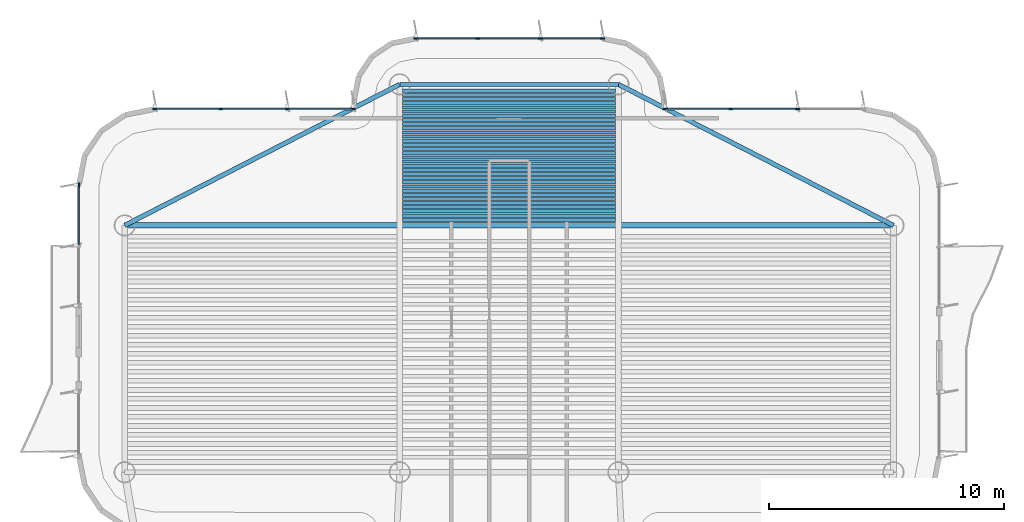
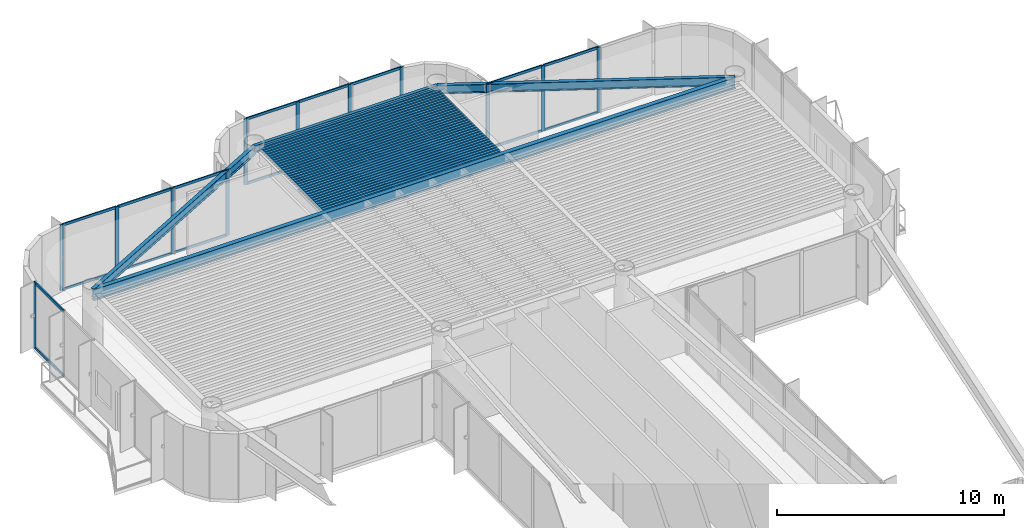
# One storey, part 7 of 14: 36 beams, 30 members, 4 elements without a shape of their own.
"""IFC4 building model written with IfcOpenShell, lengths in metres."""

from ifc_helpers import new_model, si_unit, direction, frame, origin, origin_2d, place, context, subcontext, project, spatial, rectangle, i_section, extrude, source, transform, mapped, material, layer, layer_set, material_profile, profile_set, type_object, element, aggregate, save


model = new_model("IFC4")

# Units and contexts
model_context = context("Model", 3, precision=1e-05, world=origin(), true_north=direction((0.0, 1.0)))
body_context = subcontext(model_context, "Body", "Model", "MODEL_VIEW")
ifc_project = project(units=[si_unit("LENGTHUNIT", "METRE"), si_unit("AREAUNIT", "SQUARE_METRE"), si_unit("VOLUMEUNIT", "CUBIC_METRE"), si_unit("PLANEANGLEUNIT", "RADIAN"), si_unit("MASSUNIT", "GRAM", prefix="KILO")], contexts=[model_context])

# Site, building, storey
site_placement = place(None, origin())
site = spatial("IfcSite", under=ifc_project, at=site_placement, CompositionType="ELEMENT")
building_placement = place(site_placement, origin())
building = spatial("IfcBuilding", under=site, at=building_placement, Name="Brelvock Crest Care Tower", CompositionType="ELEMENT")
storey_placement = place(building_placement, frame((0.0, 0.0, 253.260009765625)))
storey = spatial("IfcBuildingStorey", under=building, at=storey_placement, Name="L64", CompositionType="ELEMENT", Elevation=253.260009765625)

# Beams
ifc_material_1 = material(Name="Steel Grade 350", Category="steel")
ifc_material_profile_1 = material_profile(ifc_material_1, i_section(OverallWidth=0.177978515625, OverallDepth=0.406005859375, WebThickness=0.0078125, FlangeThickness=0.0126953125, FilletRadius=0.011474609375, at=origin_2d()), Name="410UB59.7")
ifc_profile_set_1 = profile_set([ifc_material_profile_1], Name="Steel Grade 350")
beam_type_1 = type_object("IfcBeamType", Name="BM-SP1", PredefinedType="SPANDREL", material=ifc_profile_set_1)
shared_shape_1 = source(origin(), body_context, "Body", "SweptSolid", [
    extrude(i_section(OverallWidth=0.177978515625, OverallDepth=0.406005859375, WebThickness=0.0078125, FlangeThickness=0.0126953125, FilletRadius=0.011474609375, at=origin_2d()), origin(), (0.0, 0.0, 1.0), 9.2998046875),
])
beam_1_placement = place(storey_placement, frame((31.35009765625, 60.449951171875, 3.326904296875), z_axis=(1.0, 0.0, 0.0), x_axis=(0.0, 1.0, 0.0)))
element("IfcBeam", 1, at=beam_1_placement, inside=storey, type_object=beam_type_1, Name="BM-TWR-L64-08", PredefinedType="SPANDREL", context=body_context, shape_type="MappedRepresentation", body=[
    mapped(shared_shape_1, transform((0.0, 0.0, 0.0), x_axis=(1.0, 0.0, 0.0), y_axis=(0.0, 1.0, 0.0), z_axis=(0.0, 0.0, 1.0), scale=1.0)),
])
ifc_material_profile_2 = material_profile(ifc_material_1, i_section(OverallWidth=0.14599609375, OverallDepth=0.256103515625, WebThickness=0.00634765625, FlangeThickness=0.010986328125, FilletRadius=0.0087890625, at=origin_2d()), Name="250UB37.3")
ifc_profile_set_2 = profile_set([ifc_material_profile_2], Name="Steel Grade 350")
beam_type_2 = type_object("IfcBeamType", Name="BM-J3", PredefinedType="JOIST", material=ifc_profile_set_2)
shared_shape_2 = source(origin(), body_context, "Body", "SweptSolid", [
    extrude(i_section(OverallWidth=0.14599609375, OverallDepth=0.256103515625, WebThickness=0.00634765625, FlangeThickness=0.010986328125, FilletRadius=0.0087890625, at=origin_2d()), origin(), (0.0, 0.0, 1.0), 9.06982421875),
])
for number, where, z_axis, x_axis, name in (
    (2, (31.465087890625, 54.68994140625, 3.402099609375), (1.0, 0.0, 0.0), (0.0, 1.0, 0.0), "BM-JN-L64-1"),
    (3, (31.465087890625, 54.866943359375, 3.402099609375), (1.0, 0.0, 0.0), (0.0, 1.0, 0.0), "BM-JN-L64-2"),
    (4, (31.465087890625, 55.0439453125, 3.402099609375), (1.0, 0.0, 0.0), (0.0, 1.0, 0.0), "BM-JN-L64-3"),
    (5, (31.465087890625, 55.220947265625, 3.402099609375), (1.0, 0.0, 0.0), (0.0, 1.0, 0.0), "BM-JN-L64-4"),
    (6, (31.465087890625, 55.39794921875, 3.402099609375), (1.0, 0.0, 0.0), (0.0, 1.0, 0.0), "BM-JN-L64-5"),
    (7, (31.465087890625, 55.574951171875, 3.402099609375), (1.0, 0.0, 0.0), (0.0, 1.0, 0.0), "BM-JN-L64-6"),
    (8, (31.465087890625, 55.751953125, 3.402099609375), (1.0, 0.0, 0.0), (0.0, 1.0, 0.0), "BM-JN-L64-7"),
    (9, (31.465087890625, 55.928955078125, 3.402099609375), (1.0, 0.0, 0.0), (0.0, 1.0, 0.0), "BM-JN-L64-8"),
    (10, (31.465087890625, 56.10595703125, 3.402099609375), (1.0, 0.0, 0.0), (0.0, 1.0, 0.0), "BM-JN-L64-9"),
    (11, (31.465087890625, 56.282958984375, 3.402099609375), (1.0, 0.0, 0.0), (0.0, 1.0, 0.0), "BM-JN-L64-10"),
    (12, (31.465087890625, 56.4599609375, 3.402099609375), (1.0, 0.0, 0.0), (0.0, 1.0, 0.0), "BM-JN-L64-11"),
    (13, (31.465087890625, 56.636962890625, 3.402099609375), (1.0, 0.0, 0.0), (0.0, 1.0, 0.0), "BM-JN-L64-12"),
    (14, (31.465087890625, 56.81396484375, 3.402099609375), (1.0, 0.0, 0.0), (0.0, 1.0, 0.0), "BM-JN-L64-13"),
):
    element("IfcBeam", number, at=place(storey_placement, frame(where, z_axis=z_axis, x_axis=x_axis)), inside=storey, type_object=beam_type_2, Name=name, PredefinedType="JOIST", context=body_context, shape_type="MappedRepresentation", body=[
        mapped(shared_shape_2, transform((0.0, 0.0, 0.0), x_axis=(1.0, 0.0, 0.0), y_axis=(0.0, 1.0, 0.0), z_axis=(0.0, 0.0, 1.0), scale=1.0)),
    ])
ifc_material_profile_3 = material_profile(ifc_material_1, i_section(OverallWidth=0.134033203125, OverallDepth=0.20703125, WebThickness=0.00634765625, FlangeThickness=0.009521484375, FilletRadius=0.0087890625, at=origin_2d()), Name="200UB29.8")
ifc_profile_set_3 = profile_set([ifc_material_profile_3], Name="Steel Grade 350")
beam_type_3 = type_object("IfcBeamType", Name="BM-J4", PredefinedType="JOIST", material=ifc_profile_set_3)
shared_shape_3 = source(origin(), body_context, "Body", "SweptSolid", [
    extrude(i_section(OverallWidth=0.134033203125, OverallDepth=0.20703125, WebThickness=0.00634765625, FlangeThickness=0.009521484375, FilletRadius=0.0087890625, at=origin_2d()), origin(), (0.0, 0.0, 1.0), 9.06982421875),
])
for number, where, z_axis, x_axis, name in (
    (15, (31.465087890625, 56.990966796875, 3.426513671875), (1.0, 0.0, 0.0), (0.0, 1.0, 0.0), "BM-JN-L64-14"),
    (16, (31.465087890625, 57.16796875, 3.426513671875), (1.0, 0.0, 0.0), (0.0, 1.0, 0.0), "BM-JN-L64-15"),
    (17, (31.465087890625, 57.344970703125, 3.426513671875), (1.0, 0.0, 0.0), (0.0, 1.0, 0.0), "BM-JN-L64-16"),
    (18, (31.465087890625, 57.52197265625, 3.426513671875), (1.0, 0.0, 0.0), (0.0, 1.0, 0.0), "BM-JN-L64-17"),
    (19, (31.465087890625, 57.698974609375, 3.426513671875), (1.0, 0.0, 0.0), (0.0, 1.0, 0.0), "BM-JN-L64-18"),
    (20, (31.465087890625, 57.8759765625, 3.426513671875), (1.0, 0.0, 0.0), (0.0, 1.0, 0.0), "BM-JN-L64-19"),
    (21, (31.465087890625, 58.052978515625, 3.426513671875), (1.0, 0.0, 0.0), (0.0, 1.0, 0.0), "BM-JN-L64-20"),
    (22, (31.465087890625, 58.22998046875, 3.426513671875), (1.0, 0.0, 0.0), (0.0, 1.0, 0.0), "BM-JN-L64-21"),
    (23, (31.465087890625, 58.406982421875, 3.426513671875), (1.0, 0.0, 0.0), (0.0, 1.0, 0.0), "BM-JN-L64-22"),
    (24, (31.465087890625, 58.583984375, 3.426513671875), (1.0, 0.0, 0.0), (0.0, 1.0, 0.0), "BM-JN-L64-23"),
    (25, (31.465087890625, 58.760986328125, 3.426513671875), (1.0, 0.0, 0.0), (0.0, 1.0, 0.0), "BM-JN-L64-24"),
    (26, (31.465087890625, 58.93798828125, 3.426513671875), (1.0, 0.0, 0.0), (0.0, 1.0, 0.0), "BM-JN-L64-25"),
    (27, (31.465087890625, 59.114990234375, 3.426513671875), (1.0, 0.0, 0.0), (0.0, 1.0, 0.0), "BM-JN-L64-26"),
    (28, (31.465087890625, 59.2919921875, 3.426513671875), (1.0, 0.0, 0.0), (0.0, 1.0, 0.0), "BM-JN-L64-27"),
    (29, (31.465087890625, 59.468994140625, 3.426513671875), (1.0, 0.0, 0.0), (0.0, 1.0, 0.0), "BM-JN-L64-28"),
    (30, (31.465087890625, 59.64599609375, 3.426513671875), (1.0, 0.0, 0.0), (0.0, 1.0, 0.0), "BM-JN-L64-29"),
    (31, (31.465087890625, 59.822998046875, 3.426513671875), (1.0, 0.0, 0.0), (0.0, 1.0, 0.0), "BM-JN-L64-30"),
    (32, (31.465087890625, 60.0, 3.426513671875), (1.0, 0.0, 0.0), (0.0, 1.0, 0.0), "BM-JN-L64-31"),
    (33, (31.465087890625, 60.177001953125, 3.426513671875), (1.0, 0.0, 0.0), (0.0, 1.0, 0.0), "BM-JN-L64-32"),
):
    element("IfcBeam", number, at=place(storey_placement, frame(where, z_axis=z_axis, x_axis=x_axis)), inside=storey, type_object=beam_type_3, Name=name, PredefinedType="JOIST", context=body_context, shape_type="MappedRepresentation", body=[
        mapped(shared_shape_3, transform((0.0, 0.0, 0.0), x_axis=(1.0, 0.0, 0.0), y_axis=(0.0, 1.0, 0.0), z_axis=(0.0, 0.0, 1.0), scale=1.0)),
    ])
ifc_material_profile_4 = material_profile(ifc_material_1, i_section(OverallWidth=0.19091796875, OverallDepth=0.4599609375, WebThickness=0.010009765625, FlangeThickness=0.01611328125, FilletRadius=0.011474609375, at=origin_2d()), Name="460UB82.1")
ifc_profile_set_4 = profile_set([ifc_material_profile_4], Name="Steel Grade 350")
beam_type_4 = type_object("IfcBeamType", Name="BM-SP2", PredefinedType="SPANDREL", material=ifc_profile_set_4)
shared_shape_4 = source(origin(), body_context, "Body", "SweptSolid", [
    extrude(i_section(OverallWidth=0.19091796875, OverallDepth=0.4599609375, WebThickness=0.010009765625, FlangeThickness=0.01611328125, FilletRadius=0.011474609375, at=origin_2d()), origin(), (0.0, 0.0, 1.0), 13.14892578125),
])
for number, where, z_axis, x_axis, name in (
    (34, (19.64990234375, 54.449951171875, 3.300048828125), (0.889820555736, 0.456310616346, 0.0), (-0.456310616346, 0.889820555736, 0.0), "BM-TWR-L64-06"),
    (35, (40.64990234375, 60.449951171875, 3.300048828125), (0.889820555736, -0.456310616346, 0.0), (0.456310616346, 0.889820555736, 0.0), "BM-TWR-L64-07"),
):
    element("IfcBeam", number, at=place(storey_placement, frame(where, z_axis=z_axis, x_axis=x_axis)), inside=storey, type_object=beam_type_4, Name=name, PredefinedType="SPANDREL", context=body_context, shape_type="MappedRepresentation", body=[
        mapped(shared_shape_4, transform((0.0, 0.0, 0.0), x_axis=(1.0, 0.0, 0.0), y_axis=(0.0, 1.0, 0.0), z_axis=(0.0, 0.0, 1.0), scale=1.0)),
    ])
ifc_material_profile_5 = material_profile(ifc_material_1, i_section(OverallWidth=0.22900390625, OverallDepth=0.612060546875, WebThickness=0.011962890625, FlangeThickness=0.01953125, FilletRadius=0.013916015625, at=origin_2d()), Name="610UB125")
ifc_profile_set_5 = profile_set([ifc_material_profile_5], Name="Steel Grade 350")
beam_type_5 = type_object("IfcBeamType", Name="BM-G1", PredefinedType="BEAM", material=ifc_profile_set_5)
shared_shape_5 = source(origin(), body_context, "Body", "SweptSolid", [
    extrude(i_section(OverallWidth=0.22900390625, OverallDepth=0.612060546875, WebThickness=0.011962890625, FlangeThickness=0.01953125, FilletRadius=0.013916015625, at=origin_2d()), origin(), (0.0, 0.0, 1.0), 32.7001953125),
])
beam_2_placement = place(storey_placement, frame((19.64990234375, 54.449951171875, 3.223876953125), z_axis=(1.0, 0.0, 0.0), x_axis=(0.0, 1.0, 0.0)))
element("IfcBeam", 36, at=beam_2_placement, inside=storey, type_object=beam_type_5, Name="BM-TWR-L64-11", PredefinedType="BEAM", context=body_context, shape_type="MappedRepresentation", body=[
    mapped(shared_shape_5, transform((0.0, 0.0, 0.0), x_axis=(1.0, 0.0, 0.0), y_axis=(0.0, 1.0, 0.0), z_axis=(0.0, 0.0, 1.0), scale=1.0)),
])

# Curtain wall, member
ifc_material_2 = material(Name="Dark Glass Double Glazed Low-E", Category="glass")
ifc_layer = layer(ifc_material_2, 0.239990234375, Name="CWS-5")
ifc_layer_set = layer_set([ifc_layer], Name="Dark Glass Double Glazed Low-E")
curtain_wall_type = type_object("IfcCurtainWallType", Name="CWS-5", PredefinedType="NOTDEFINED", material=ifc_layer_set)
curtain_wall_1_placement = place(storey_placement, origin())
curtain_wall_1 = element("IfcCurtainWall", 37, at=curtain_wall_1_placement, inside=storey, type_object=curtain_wall_type, Name="L64 Curtain Wall E17B", PredefinedType="NOTDEFINED")
ifc_material_3 = material(Name="Aluminium 6063-T6", Category="aluminium")
ifc_material_profile_6 = material_profile(ifc_material_3, rectangle(XDim=0.06005859375, YDim=0.179931640625, at=origin_2d()), Name="ALU60x180")
ifc_profile_set_6 = profile_set([ifc_material_profile_6], Name="Aluminium 6063-T6")
member_type_1 = type_object("IfcMemberType", Name="CWM-2", PredefinedType="MULLION", material=ifc_profile_set_6)
shared_shape_6 = source(origin(), body_context, "Body", "SweptSolid", [
    extrude(rectangle(XDim=0.06005859375, YDim=0.179931640625, at=origin_2d()), origin(), (0.0, 0.0, 1.0), 3.530029296875),
])
member_1_placement = place(storey_placement, frame((17.699951171875, 56.169921875, 0.0), z_axis=(0.0, 0.0, 1.0), x_axis=(-1.0, 0.0, 0.0)))
member_1 = element("IfcMember", 38, at=member_1_placement, type_object=member_type_1, Name="CW-5 mullion 3", PredefinedType="MULLION", context=body_context, shape_type="MappedRepresentation", body=[
    mapped(shared_shape_6, transform((0.0, 0.0, 0.0), x_axis=(1.0, 0.0, 0.0), y_axis=(0.0, 1.0, 0.0), z_axis=(0.0, 0.0, 1.0), scale=1.0)),
])

# Curtain wall, members
curtain_wall_2_placement = place(storey_placement, origin())
curtain_wall_2 = element("IfcCurtainWall", 39, at=curtain_wall_2_placement, inside=storey, type_object=curtain_wall_type, Name="L64 Curtain Wall E22", PredefinedType="NOTDEFINED")
member_2_placement = place(storey_placement, frame((20.929931640625, 59.39990234375, 0.0), z_axis=(0.0, 0.0, 1.0), x_axis=(0.0, 1.0, 0.0)))
member_2 = element("IfcMember", 40, at=member_2_placement, type_object=member_type_1, Name="CW-5 mullion 1", PredefinedType="MULLION", context=body_context, shape_type="MappedRepresentation", body=[
    mapped(shared_shape_6, transform((0.0, 0.0, 0.0), x_axis=(1.0, 0.0, 0.0), y_axis=(0.0, 1.0, 0.0), z_axis=(0.0, 0.0, 1.0), scale=1.0)),
])
member_3_placement = place(storey_placement, frame((23.7333984375, 59.39990234375, 0.0), z_axis=(0.0, 0.0, 1.0), x_axis=(0.0, 1.0, 0.0)))
member_3 = element("IfcMember", 41, at=member_3_placement, type_object=member_type_1, Name="CW-5 mullion 2", PredefinedType="MULLION", context=body_context, shape_type="MappedRepresentation", body=[
    mapped(shared_shape_6, transform((0.0, 0.0, 0.0), x_axis=(1.0, 0.0, 0.0), y_axis=(0.0, 1.0, 0.0), z_axis=(0.0, 0.0, 1.0), scale=1.0)),
])
member_4_placement = place(storey_placement, frame((26.566650390625, 59.39990234375, 0.0), z_axis=(0.0, 0.0, 1.0), x_axis=(0.0, 1.0, 0.0)))
member_4 = element("IfcMember", 42, at=member_4_placement, type_object=member_type_1, Name="CW-5 mullion 3", PredefinedType="MULLION", context=body_context, shape_type="MappedRepresentation", body=[
    mapped(shared_shape_6, transform((0.0, 0.0, 0.0), x_axis=(1.0, 0.0, 0.0), y_axis=(0.0, 1.0, 0.0), z_axis=(0.0, 0.0, 1.0), scale=1.0)),
])
member_5_placement = place(storey_placement, frame((29.3701171875, 59.39990234375, 0.0), z_axis=(0.0, 0.0, 1.0), x_axis=(0.0, 1.0, 0.0)))
member_5 = element("IfcMember", 43, at=member_5_placement, type_object=member_type_1, Name="CW-5 mullion 4", PredefinedType="MULLION", context=body_context, shape_type="MappedRepresentation", body=[
    mapped(shared_shape_6, transform((0.0, 0.0, 0.0), x_axis=(1.0, 0.0, 0.0), y_axis=(0.0, 1.0, 0.0), z_axis=(0.0, 0.0, 1.0), scale=1.0)),
])

curtain_wall_3_placement = place(storey_placement, origin())
curtain_wall_3 = element("IfcCurtainWall", 44, at=curtain_wall_3_placement, inside=storey, type_object=curtain_wall_type, Name="L64 Curtain Wall E28", PredefinedType="NOTDEFINED")
member_6_placement = place(storey_placement, frame((32.030029296875, 62.39990234375, 0.0), z_axis=(0.0, 0.0, 1.0), x_axis=(0.0, 1.0, 0.0)))
member_6 = element("IfcMember", 45, at=member_6_placement, type_object=member_type_1, Name="CW-5 mullion 1", PredefinedType="MULLION", context=body_context, shape_type="MappedRepresentation", body=[
    mapped(shared_shape_6, transform((0.0, 0.0, 0.0), x_axis=(1.0, 0.0, 0.0), y_axis=(0.0, 1.0, 0.0), z_axis=(0.0, 0.0, 1.0), scale=1.0)),
])
member_7_placement = place(storey_placement, frame((34.666748046875, 62.39990234375, 0.0), z_axis=(0.0, 0.0, 1.0), x_axis=(0.0, 1.0, 0.0)))
member_7 = element("IfcMember", 46, at=member_7_placement, type_object=member_type_1, Name="CW-5 mullion 2", PredefinedType="MULLION", context=body_context, shape_type="MappedRepresentation", body=[
    mapped(shared_shape_6, transform((0.0, 0.0, 0.0), x_axis=(1.0, 0.0, 0.0), y_axis=(0.0, 1.0, 0.0), z_axis=(0.0, 0.0, 1.0), scale=1.0)),
])
member_8_placement = place(storey_placement, frame((37.333251953125, 62.39990234375, 0.0), z_axis=(0.0, 0.0, 1.0), x_axis=(0.0, 1.0, 0.0)))
member_8 = element("IfcMember", 47, at=member_8_placement, type_object=member_type_1, Name="CW-5 mullion 3", PredefinedType="MULLION", context=body_context, shape_type="MappedRepresentation", body=[
    mapped(shared_shape_6, transform((0.0, 0.0, 0.0), x_axis=(1.0, 0.0, 0.0), y_axis=(0.0, 1.0, 0.0), z_axis=(0.0, 0.0, 1.0), scale=1.0)),
])
member_9_placement = place(storey_placement, frame((39.969970703125, 62.39990234375, 0.0), z_axis=(0.0, 0.0, 1.0), x_axis=(0.0, 1.0, 0.0)))
member_9 = element("IfcMember", 48, at=member_9_placement, type_object=member_type_1, Name="CW-5 mullion 4", PredefinedType="MULLION", context=body_context, shape_type="MappedRepresentation", body=[
    mapped(shared_shape_6, transform((0.0, 0.0, 0.0), x_axis=(1.0, 0.0, 0.0), y_axis=(0.0, 1.0, 0.0), z_axis=(0.0, 0.0, 1.0), scale=1.0)),
])

curtain_wall_4_placement = place(storey_placement, origin())
curtain_wall_4 = element("IfcCurtainWall", 49, at=curtain_wall_4_placement, inside=storey, type_object=curtain_wall_type, Name="L64 Curtain Wall E34", PredefinedType="NOTDEFINED")
member_10_placement = place(storey_placement, frame((42.6298828125, 59.39990234375, 0.0), z_axis=(0.0, 0.0, 1.0), x_axis=(0.0, 1.0, 0.0)))
member_10 = element("IfcMember", 50, at=member_10_placement, type_object=member_type_1, Name="CW-5 mullion 1", PredefinedType="MULLION", context=body_context, shape_type="MappedRepresentation", body=[
    mapped(shared_shape_6, transform((0.0, 0.0, 0.0), x_axis=(1.0, 0.0, 0.0), y_axis=(0.0, 1.0, 0.0), z_axis=(0.0, 0.0, 1.0), scale=1.0)),
])
member_11_placement = place(storey_placement, frame((45.433349609375, 59.39990234375, 0.0), z_axis=(0.0, 0.0, 1.0), x_axis=(0.0, 1.0, 0.0)))
member_11 = element("IfcMember", 51, at=member_11_placement, type_object=member_type_1, Name="CW-5 mullion 2", PredefinedType="MULLION", context=body_context, shape_type="MappedRepresentation", body=[
    mapped(shared_shape_6, transform((0.0, 0.0, 0.0), x_axis=(1.0, 0.0, 0.0), y_axis=(0.0, 1.0, 0.0), z_axis=(0.0, 0.0, 1.0), scale=1.0)),
])
member_12_placement = place(storey_placement, frame((48.2666015625, 59.39990234375, 0.0), z_axis=(0.0, 0.0, 1.0), x_axis=(0.0, 1.0, 0.0)))
member_12 = element("IfcMember", 52, at=member_12_placement, type_object=member_type_1, Name="CW-5 mullion 3", PredefinedType="MULLION", context=body_context, shape_type="MappedRepresentation", body=[
    mapped(shared_shape_6, transform((0.0, 0.0, 0.0), x_axis=(1.0, 0.0, 0.0), y_axis=(0.0, 1.0, 0.0), z_axis=(0.0, 0.0, 1.0), scale=1.0)),
])

# Member
ifc_material_profile_7 = material_profile(ifc_material_3, rectangle(XDim=0.06005859375, YDim=0.139892578125, at=origin_2d()), Name="ALU60x140")
ifc_profile_set_7 = profile_set([ifc_material_profile_7], Name="Aluminium 6063-T6")
member_type_2 = type_object("IfcMemberType", Name="CWT-2", PredefinedType="USERDEFINED", material=ifc_profile_set_7)
shared_shape_7 = source(origin(), body_context, "Body", "SweptSolid", [
    extrude(rectangle(XDim=0.06005859375, YDim=0.139892578125, at=origin_2d()), origin(), (0.0, 0.0, 1.0), 2.57666015625),
])
member_13_placement = place(storey_placement, frame((32.06005859375, 62.39990234375, 0.030029296875), z_axis=(1.0, 0.0, 0.0), x_axis=(0.0, 1.0, 0.0)))
member_13 = element("IfcMember", 53, at=member_13_placement, type_object=member_type_2, Name="CW-5 transom 1.1", ObjectType="TRANSOM", PredefinedType="USERDEFINED", context=body_context, shape_type="MappedRepresentation", body=[
    mapped(shared_shape_7, transform((0.0, 0.0, 0.0), x_axis=(1.0, 0.0, 0.0), y_axis=(0.0, 1.0, 0.0), z_axis=(0.0, 0.0, 1.0), scale=1.0)),
])

member_14_placement = place(storey_placement, frame((32.06005859375, 62.39990234375, 3.5), z_axis=(1.0, 0.0, 0.0), x_axis=(0.0, 1.0, 0.0)))
member_14 = element("IfcMember", 54, at=member_14_placement, type_object=member_type_2, Name="CW-5 transom 1.2", ObjectType="TRANSOM", PredefinedType="USERDEFINED", context=body_context, shape_type="MappedRepresentation", body=[
    mapped(shared_shape_7, transform((0.0, 0.0, 0.0), x_axis=(1.0, 0.0, 0.0), y_axis=(0.0, 1.0, 0.0), z_axis=(0.0, 0.0, 1.0), scale=1.0)),
])

member_15_placement = place(storey_placement, frame((37.36328125, 62.39990234375, 0.030029296875), z_axis=(1.0, 0.0, 0.0), x_axis=(0.0, 1.0, 0.0)))
member_15 = element("IfcMember", 55, at=member_15_placement, type_object=member_type_2, Name="CW-5 transom 3.1", ObjectType="TRANSOM", PredefinedType="USERDEFINED", context=body_context, shape_type="MappedRepresentation", body=[
    mapped(shared_shape_7, transform((0.0, 0.0, 0.0), x_axis=(1.0, 0.0, 0.0), y_axis=(0.0, 1.0, 0.0), z_axis=(0.0, 0.0, 1.0), scale=1.0)),
])

member_16_placement = place(storey_placement, frame((37.36328125, 62.39990234375, 3.5), z_axis=(1.0, 0.0, 0.0), x_axis=(0.0, 1.0, 0.0)))
member_16 = element("IfcMember", 56, at=member_16_placement, type_object=member_type_2, Name="CW-5 transom 3.2", ObjectType="TRANSOM", PredefinedType="USERDEFINED", context=body_context, shape_type="MappedRepresentation", body=[
    mapped(shared_shape_7, transform((0.0, 0.0, 0.0), x_axis=(1.0, 0.0, 0.0), y_axis=(0.0, 1.0, 0.0), z_axis=(0.0, 0.0, 1.0), scale=1.0)),
])

shared_shape_8 = source(origin(), body_context, "Body", "SweptSolid", [
    extrude(rectangle(XDim=0.06005859375, YDim=0.139892578125, at=origin_2d()), origin(), (0.0, 0.0, 1.0), 2.510009765625),
])
member_17_placement = place(storey_placement, frame((17.699951171875, 53.6298828125, 0.030029296875), z_axis=(0.0, 1.0, 0.0), x_axis=(-1.0, 0.0, 0.0)))
member_17 = element("IfcMember", 57, at=member_17_placement, type_object=member_type_2, Name="CW-5 transom 2.1", ObjectType="TRANSOM", PredefinedType="USERDEFINED", context=body_context, shape_type="MappedRepresentation", body=[
    mapped(shared_shape_8, transform((0.0, 0.0, 0.0), x_axis=(1.0, 0.0, 0.0), y_axis=(0.0, 1.0, 0.0), z_axis=(0.0, 0.0, 1.0), scale=1.0)),
])

member_18_placement = place(storey_placement, frame((17.699951171875, 53.6298828125, 3.5), z_axis=(0.0, 1.0, 0.0), x_axis=(-1.0, 0.0, 0.0)))
member_18 = element("IfcMember", 58, at=member_18_placement, type_object=member_type_2, Name="CW-5 transom 2.2", ObjectType="TRANSOM", PredefinedType="USERDEFINED", context=body_context, shape_type="MappedRepresentation", body=[
    mapped(shared_shape_8, transform((0.0, 0.0, 0.0), x_axis=(1.0, 0.0, 0.0), y_axis=(0.0, 1.0, 0.0), z_axis=(0.0, 0.0, 1.0), scale=1.0)),
])

aggregate(curtain_wall_1, [member_1, member_17, member_18])

shared_shape_9 = source(origin(), body_context, "Body", "SweptSolid", [
    extrude(rectangle(XDim=0.06005859375, YDim=0.139892578125, at=origin_2d()), origin(), (0.0, 0.0, 1.0), 2.743408203125),
])
member_19_placement = place(storey_placement, frame((20.9599609375, 59.39990234375, 0.030029296875), z_axis=(1.0, 0.0, 0.0), x_axis=(0.0, 1.0, 0.0)))
member_19 = element("IfcMember", 59, at=member_19_placement, type_object=member_type_2, Name="CW-5 transom 1.1", ObjectType="TRANSOM", PredefinedType="USERDEFINED", context=body_context, shape_type="MappedRepresentation", body=[
    mapped(shared_shape_9, transform((0.0, 0.0, 0.0), x_axis=(1.0, 0.0, 0.0), y_axis=(0.0, 1.0, 0.0), z_axis=(0.0, 0.0, 1.0), scale=1.0)),
])

member_20_placement = place(storey_placement, frame((20.9599609375, 59.39990234375, 3.5), z_axis=(1.0, 0.0, 0.0), x_axis=(0.0, 1.0, 0.0)))
member_20 = element("IfcMember", 60, at=member_20_placement, type_object=member_type_2, Name="CW-5 transom 1.2", ObjectType="TRANSOM", PredefinedType="USERDEFINED", context=body_context, shape_type="MappedRepresentation", body=[
    mapped(shared_shape_9, transform((0.0, 0.0, 0.0), x_axis=(1.0, 0.0, 0.0), y_axis=(0.0, 1.0, 0.0), z_axis=(0.0, 0.0, 1.0), scale=1.0)),
])

member_21_placement = place(storey_placement, frame((26.5966796875, 59.39990234375, 0.030029296875), z_axis=(1.0, 0.0, 0.0), x_axis=(0.0, 1.0, 0.0)))
member_21 = element("IfcMember", 61, at=member_21_placement, type_object=member_type_2, Name="CW-5 transom 3.1", ObjectType="TRANSOM", PredefinedType="USERDEFINED", context=body_context, shape_type="MappedRepresentation", body=[
    mapped(shared_shape_9, transform((0.0, 0.0, 0.0), x_axis=(1.0, 0.0, 0.0), y_axis=(0.0, 1.0, 0.0), z_axis=(0.0, 0.0, 1.0), scale=1.0)),
])

member_22_placement = place(storey_placement, frame((26.5966796875, 59.39990234375, 3.5), z_axis=(1.0, 0.0, 0.0), x_axis=(0.0, 1.0, 0.0)))
member_22 = element("IfcMember", 62, at=member_22_placement, type_object=member_type_2, Name="CW-5 transom 3.2", ObjectType="TRANSOM", PredefinedType="USERDEFINED", context=body_context, shape_type="MappedRepresentation", body=[
    mapped(shared_shape_9, transform((0.0, 0.0, 0.0), x_axis=(1.0, 0.0, 0.0), y_axis=(0.0, 1.0, 0.0), z_axis=(0.0, 0.0, 1.0), scale=1.0)),
])

member_23_placement = place(storey_placement, frame((42.659912109375, 59.39990234375, 0.030029296875), z_axis=(1.0, 0.0, 0.0), x_axis=(0.0, 1.0, 0.0)))
member_23 = element("IfcMember", 63, at=member_23_placement, type_object=member_type_2, Name="CW-5 transom 1.1", ObjectType="TRANSOM", PredefinedType="USERDEFINED", context=body_context, shape_type="MappedRepresentation", body=[
    mapped(shared_shape_9, transform((0.0, 0.0, 0.0), x_axis=(1.0, 0.0, 0.0), y_axis=(0.0, 1.0, 0.0), z_axis=(0.0, 0.0, 1.0), scale=1.0)),
])

member_24_placement = place(storey_placement, frame((42.659912109375, 59.39990234375, 3.5), z_axis=(1.0, 0.0, 0.0), x_axis=(0.0, 1.0, 0.0)))
member_24 = element("IfcMember", 64, at=member_24_placement, type_object=member_type_2, Name="CW-5 transom 1.2", ObjectType="TRANSOM", PredefinedType="USERDEFINED", context=body_context, shape_type="MappedRepresentation", body=[
    mapped(shared_shape_9, transform((0.0, 0.0, 0.0), x_axis=(1.0, 0.0, 0.0), y_axis=(0.0, 1.0, 0.0), z_axis=(0.0, 0.0, 1.0), scale=1.0)),
])

shared_shape_10 = source(origin(), body_context, "Body", "SweptSolid", [
    extrude(rectangle(XDim=0.06005859375, YDim=0.139892578125, at=origin_2d()), origin(), (0.0, 0.0, 1.0), 2.773193359375),
])
member_25_placement = place(storey_placement, frame((23.763427734375, 59.39990234375, 0.030029296875), z_axis=(1.0, 0.0, 0.0), x_axis=(0.0, 1.0, 0.0)))
member_25 = element("IfcMember", 65, at=member_25_placement, type_object=member_type_2, Name="CW-5 transom 2.1", ObjectType="TRANSOM", PredefinedType="USERDEFINED", context=body_context, shape_type="MappedRepresentation", body=[
    mapped(shared_shape_10, transform((0.0, 0.0, 0.0), x_axis=(1.0, 0.0, 0.0), y_axis=(0.0, 1.0, 0.0), z_axis=(0.0, 0.0, 1.0), scale=1.0)),
])

member_26_placement = place(storey_placement, frame((23.763427734375, 59.39990234375, 3.5), z_axis=(1.0, 0.0, 0.0), x_axis=(0.0, 1.0, 0.0)))
member_26 = element("IfcMember", 66, at=member_26_placement, type_object=member_type_2, Name="CW-5 transom 2.2", ObjectType="TRANSOM", PredefinedType="USERDEFINED", context=body_context, shape_type="MappedRepresentation", body=[
    mapped(shared_shape_10, transform((0.0, 0.0, 0.0), x_axis=(1.0, 0.0, 0.0), y_axis=(0.0, 1.0, 0.0), z_axis=(0.0, 0.0, 1.0), scale=1.0)),
])

aggregate(curtain_wall_2, [member_2, member_3, member_4, member_5, member_19, member_20, member_25, member_26, member_21, member_22])

member_27_placement = place(storey_placement, frame((45.46337890625, 59.39990234375, 0.030029296875), z_axis=(1.0, 0.0, 0.0), x_axis=(0.0, 1.0, 0.0)))
member_27 = element("IfcMember", 67, at=member_27_placement, type_object=member_type_2, Name="CW-5 transom 2.1", ObjectType="TRANSOM", PredefinedType="USERDEFINED", context=body_context, shape_type="MappedRepresentation", body=[
    mapped(shared_shape_10, transform((0.0, 0.0, 0.0), x_axis=(1.0, 0.0, 0.0), y_axis=(0.0, 1.0, 0.0), z_axis=(0.0, 0.0, 1.0), scale=1.0)),
])

member_28_placement = place(storey_placement, frame((45.46337890625, 59.39990234375, 3.5), z_axis=(1.0, 0.0, 0.0), x_axis=(0.0, 1.0, 0.0)))
member_28 = element("IfcMember", 68, at=member_28_placement, type_object=member_type_2, Name="CW-5 transom 2.2", ObjectType="TRANSOM", PredefinedType="USERDEFINED", context=body_context, shape_type="MappedRepresentation", body=[
    mapped(shared_shape_10, transform((0.0, 0.0, 0.0), x_axis=(1.0, 0.0, 0.0), y_axis=(0.0, 1.0, 0.0), z_axis=(0.0, 0.0, 1.0), scale=1.0)),
])

aggregate(curtain_wall_4, [member_10, member_11, member_12, member_23, member_24, member_27, member_28])

shared_shape_11 = source(origin(), body_context, "Body", "SweptSolid", [
    extrude(rectangle(XDim=0.06005859375, YDim=0.139892578125, at=origin_2d()), origin(), (0.0, 0.0, 1.0), 2.6064453125),
])
member_29_placement = place(storey_placement, frame((34.69677734375, 62.39990234375, 0.030029296875), z_axis=(1.0, 0.0, 0.0), x_axis=(0.0, 1.0, 0.0)))
member_29 = element("IfcMember", 69, at=member_29_placement, type_object=member_type_2, Name="CW-5 transom 2.1", ObjectType="TRANSOM", PredefinedType="USERDEFINED", context=body_context, shape_type="MappedRepresentation", body=[
    mapped(shared_shape_11, transform((0.0, 0.0, 0.0), x_axis=(1.0, 0.0, 0.0), y_axis=(0.0, 1.0, 0.0), z_axis=(0.0, 0.0, 1.0), scale=1.0)),
])

member_30_placement = place(storey_placement, frame((34.69677734375, 62.39990234375, 3.5), z_axis=(1.0, 0.0, 0.0), x_axis=(0.0, 1.0, 0.0)))
member_30 = element("IfcMember", 70, at=member_30_placement, type_object=member_type_2, Name="CW-5 transom 2.2", ObjectType="TRANSOM", PredefinedType="USERDEFINED", context=body_context, shape_type="MappedRepresentation", body=[
    mapped(shared_shape_11, transform((0.0, 0.0, 0.0), x_axis=(1.0, 0.0, 0.0), y_axis=(0.0, 1.0, 0.0), z_axis=(0.0, 0.0, 1.0), scale=1.0)),
])

aggregate(curtain_wall_3, [member_6, member_7, member_8, member_9, member_13, member_14, member_29, member_30, member_15, member_16])

save(model, "model.ifc")
